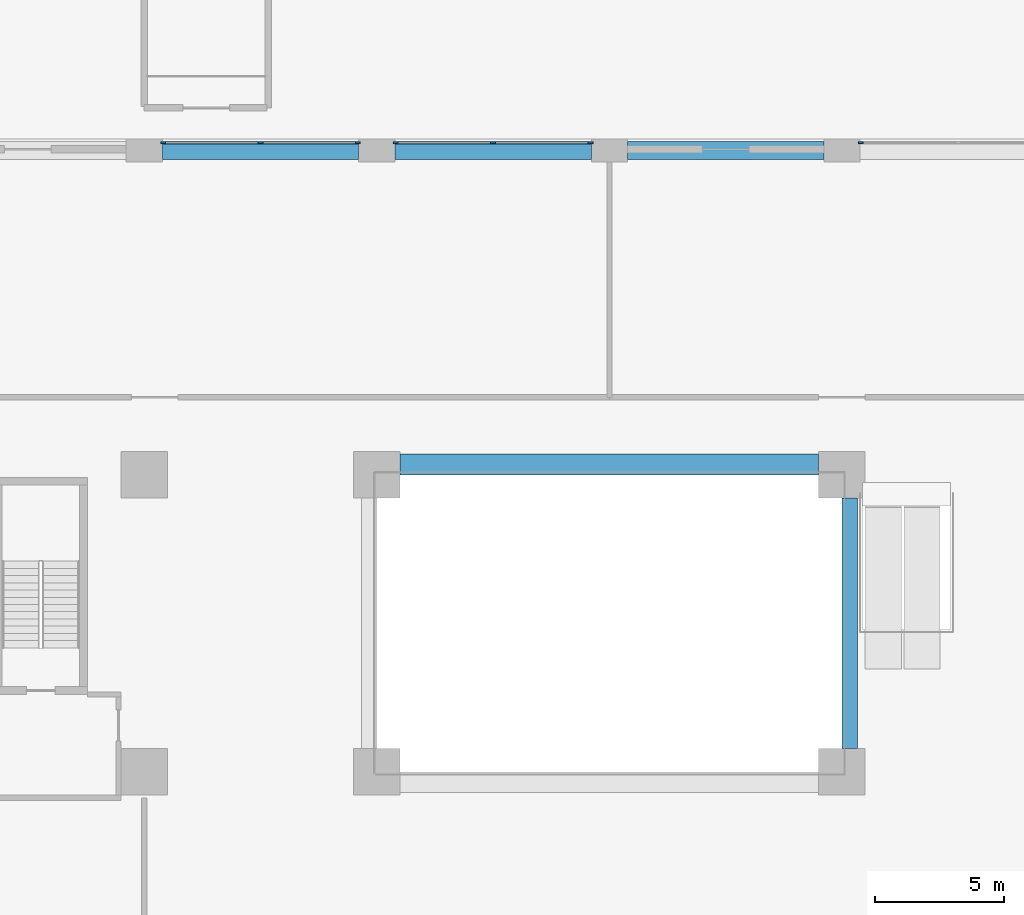
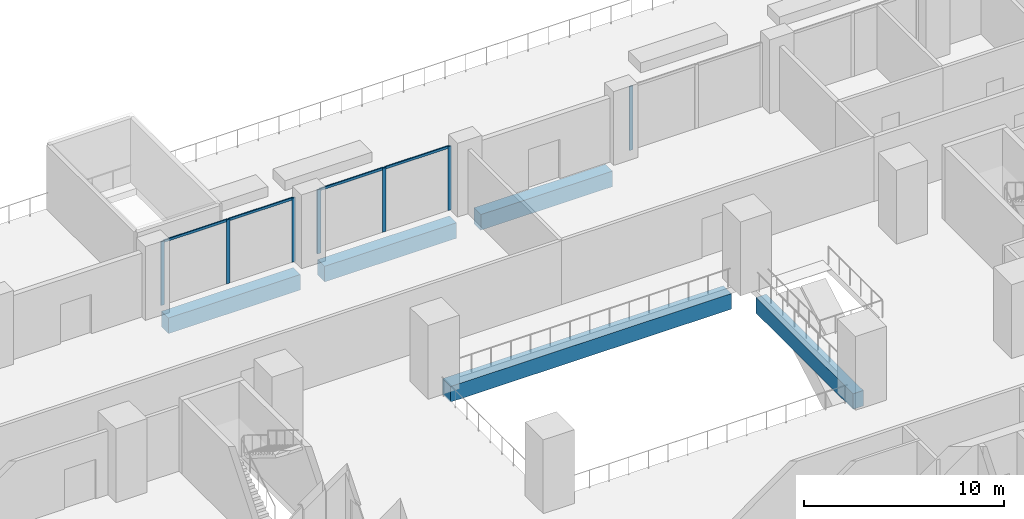
# One storey, part 5 of 19: 11 members, 5 beams, 3 elements without a shape of their own.
"""IFC4 building model written with IfcOpenShell, lengths in metres."""

from ifc_helpers import new_model, si_unit, direction, frame, origin, origin_2d, place, context, subcontext, project, spatial, rectangle, extrude, material, layer, layer_set, material_profile, profile_set, type_object, element, aggregate, save


model = new_model("IFC4")

# Units and contexts
model_context = context("Model", 3, precision=1e-05, world=origin(), true_north=direction((0.0, 1.0)))
body_context = subcontext(model_context, "Body", "Model", "MODEL_VIEW")
ifc_project = project(units=[si_unit("LENGTHUNIT", "METRE"), si_unit("AREAUNIT", "SQUARE_METRE"), si_unit("VOLUMEUNIT", "CUBIC_METRE"), si_unit("PLANEANGLEUNIT", "RADIAN"), si_unit("MASSUNIT", "GRAM", prefix="KILO")], contexts=[model_context])

# Site, building, storey
site_placement = place(None, origin())
site = spatial("IfcSite", under=ifc_project, at=site_placement, CompositionType="ELEMENT")
building_placement = place(site_placement, origin())
building = spatial("IfcBuilding", under=site, at=building_placement, Name="Brigalow Station Residences", CompositionType="ELEMENT")
storey_placement = place(building_placement, frame((0.0, 0.0, 11.0)))
storey = spatial("IfcBuildingStorey", under=building, at=storey_placement, Name="L02", CompositionType="ELEMENT", Elevation=11.0)

# Beams
ifc_material_1 = material(Name="Concrete C65", Category="concrete")
ifc_material_profile_1 = material_profile(ifc_material_1, rectangle(XDim=0.60009765625, YDim=0.949951171875, at=origin_2d()), Name="RC600x950")
ifc_profile_set_1 = profile_set([ifc_material_profile_1], Name="Concrete C65")
beam_type_1 = type_object("IfcBeamType", Name="ATRIUM EDGE GIRDER 600x950 C65", PredefinedType="BEAM", material=ifc_profile_set_1)
beam_1_placement = place(storey_placement, frame((45.300048828125, 24.89990234375, -0.876953125), z_axis=(0.0, 1.0, 0.0), x_axis=(-1.0, 0.0, 0.0)))
element("IfcBeam", 1, at=beam_1_placement, inside=storey, type_object=beam_type_1, Name="ATRIUM EDGE GIRDER 5 L02", PredefinedType="BEAM", context=body_context, shape_type="SweptSolid", body=[
    extrude(rectangle(XDim=0.60009765625, YDim=0.949951171875, at=origin_2d()), origin(), (0.0, 0.0, 1.0), 9.7001953125),
])
ifc_material_2 = material(Name="Concrete C65", Category="concrete")
ifc_material_profile_2 = material_profile(ifc_material_2, rectangle(XDim=0.800048828125, YDim=0.949951171875, at=origin_2d()), Name="RC800x950")
ifc_profile_set_2 = profile_set([ifc_material_profile_2], Name="Concrete C65")
beam_type_2 = type_object("IfcBeamType", Name="ATRIUM EDGE GIRDER OVER 13.5 M SPAN 800x950 C65", PredefinedType="BEAM", material=ifc_profile_set_2)
beam_2_placement = place(storey_placement, frame((27.89990234375, 35.89990234375, -0.876953125), z_axis=(1.0, 0.0, 0.0), x_axis=(0.0, 1.0, 0.0)))
element("IfcBeam", 2, at=beam_2_placement, inside=storey, type_object=beam_type_2, Name="ATRIUM EDGE GIRDER D L02", PredefinedType="BEAM", context=body_context, shape_type="SweptSolid", body=[
    extrude(rectangle(XDim=0.800048828125, YDim=0.949951171875, at=origin_2d()), origin(), (0.0, 0.0, 1.0), 16.2001953125),
])
ifc_material_3 = material(Name="Concrete C65", Category="concrete")
ifc_material_profile_3 = material_profile(ifc_material_3, rectangle(XDim=0.699951171875, YDim=0.949951171875, at=origin_2d()), Name="RC700x950")
ifc_profile_set_3 = profile_set([ifc_material_profile_3], Name="Concrete C65")
beam_type_3 = type_object("IfcBeamType", Name="EDGE GIRDER 4.5 TO 9.9 M SPAN 700x950 C65", PredefinedType="BEAM", material=ifc_profile_set_3)
for number, where, z_axis, x_axis, name in (
    (3, (44.300048828125, 48.050048828125, -0.876953125), (-1.0, 0.0, 0.0), (0.0, -1.0, 0.0), "FOOTPRINT EDGE GIRDER 15 L02"),
    (4, (35.300048828125, 48.050048828125, -0.876953125), (-1.0, 0.0, 0.0), (0.0, -1.0, 0.0), "FOOTPRINT EDGE GIRDER 16 L02"),
    (5, (26.300048828125, 48.050048828125, -0.876953125), (-1.0, 0.0, 0.0), (0.0, -1.0, 0.0), "FOOTPRINT EDGE GIRDER 17 L02"),
):
    element("IfcBeam", number, at=place(storey_placement, frame(where, z_axis=z_axis, x_axis=x_axis)), inside=storey, type_object=beam_type_3, Name=name, PredefinedType="BEAM", context=body_context, shape_type="SweptSolid", body=[
        extrude(rectangle(XDim=0.699951171875, YDim=0.949951171875, at=origin_2d()), origin(), (0.0, 0.0, 1.0), 7.60009765625),
    ])

# Curtain wall, member
ifc_material_4 = material(Name="Aluminium", Category="aluminium")
ifc_layer = layer(ifc_material_4, 0.199951171875)
ifc_layer_set = layer_set([ifc_layer], Name="PODIUM UNITISED GLAZING CURTAIN WALL")
curtain_wall_type = type_object("IfcCurtainWallType", Name="PODIUM UNITISED GLAZING CURTAIN WALL", PredefinedType="NOTDEFINED", material=ifc_layer_set)
curtain_wall_1_placement = place(storey_placement, origin())
curtain_wall_1 = element("IfcCurtainWall", 6, at=curtain_wall_1_placement, inside=storey, type_object=curtain_wall_type, Name="L02/cw/podium-W-L02-25-14", PredefinedType="NOTDEFINED")
ifc_material_5 = material(Name="Aluminium", Category="aluminium")
ifc_material_profile_4 = material_profile(ifc_material_5, rectangle(XDim=0.06494140625, YDim=0.199951171875, at=origin_2d()), Name="PODIUM UNITISED GLAZING MULLION 65x200")
ifc_profile_set_4 = profile_set([ifc_material_profile_4], Name="Aluminium")
member_type_1 = type_object("IfcMemberType", Name="PODIUM UNITISED GLAZING MULLION 65x200", PredefinedType="MULLION", material=ifc_profile_set_4)
member_1_placement = place(storey_placement, frame((45.732421875, 48.35009765625, 0.0), z_axis=(0.0, 0.0, 1.0), x_axis=(0.0, -1.0, 0.0)))
member_1 = element("IfcMember", 7, at=member_1_placement, type_object=member_type_1, Name="L02/cw/podium-W-L02-25-14/M02", PredefinedType="MULLION", context=body_context, shape_type="SweptSolid", body=[
    extrude(rectangle(XDim=0.06494140625, YDim=0.199951171875, at=origin_2d()), origin(), (0.0, 0.0, 1.0), 3.89990234375),
])
aggregate(curtain_wall_1, [member_1])

# Curtain wall, members
curtain_wall_2_placement = place(storey_placement, origin())
curtain_wall_2 = element("IfcCurtainWall", 8, at=curtain_wall_2_placement, inside=storey, type_object=curtain_wall_type, Name="L02/cw/podium-W-L02-25-15", PredefinedType="NOTDEFINED")
member_2_placement = place(storey_placement, frame((35.267578125, 48.35009765625, 0.0), z_axis=(0.0, 0.0, 1.0), x_axis=(0.0, -1.0, 0.0)))
member_2 = element("IfcMember", 9, at=member_2_placement, type_object=member_type_1, Name="L02/cw/podium-W-L02-25-15/M00", PredefinedType="MULLION", context=body_context, shape_type="SweptSolid", body=[
    extrude(rectangle(XDim=0.06494140625, YDim=0.199951171875, at=origin_2d()), origin(), (0.0, 0.0, 1.0), 3.89990234375),
])
member_3_placement = place(storey_placement, frame((31.5, 48.35009765625, 0.0), z_axis=(0.0, 0.0, 1.0), x_axis=(0.0, -1.0, 0.0)))
member_3 = element("IfcMember", 10, at=member_3_placement, type_object=member_type_1, Name="L02/cw/podium-W-L02-25-15/M01", PredefinedType="MULLION", context=body_context, shape_type="SweptSolid", body=[
    extrude(rectangle(XDim=0.06494140625, YDim=0.199951171875, at=origin_2d()), origin(), (0.0, 0.0, 1.0), 3.89990234375),
])
member_4_placement = place(storey_placement, frame((27.732421875, 48.35009765625, 0.0), z_axis=(0.0, 0.0, 1.0), x_axis=(0.0, -1.0, 0.0)))
member_4 = element("IfcMember", 11, at=member_4_placement, type_object=member_type_1, Name="L02/cw/podium-W-L02-25-15/M02", PredefinedType="MULLION", context=body_context, shape_type="SweptSolid", body=[
    extrude(rectangle(XDim=0.06494140625, YDim=0.199951171875, at=origin_2d()), origin(), (0.0, 0.0, 1.0), 3.89990234375),
])

curtain_wall_3_placement = place(storey_placement, origin())
curtain_wall_3 = element("IfcCurtainWall", 12, at=curtain_wall_3_placement, inside=storey, type_object=curtain_wall_type, Name="L02/cw/podium-W-L02-25-16", PredefinedType="NOTDEFINED")
member_5_placement = place(storey_placement, frame((26.267578125, 48.35009765625, 0.0), z_axis=(0.0, 0.0, 1.0), x_axis=(0.0, -1.0, 0.0)))
member_5 = element("IfcMember", 13, at=member_5_placement, type_object=member_type_1, Name="L02/cw/podium-W-L02-25-16/M00", PredefinedType="MULLION", context=body_context, shape_type="SweptSolid", body=[
    extrude(rectangle(XDim=0.06494140625, YDim=0.199951171875, at=origin_2d()), origin(), (0.0, 0.0, 1.0), 3.89990234375),
])
member_6_placement = place(storey_placement, frame((22.5, 48.35009765625, 0.0), z_axis=(0.0, 0.0, 1.0), x_axis=(0.0, -1.0, 0.0)))
member_6 = element("IfcMember", 14, at=member_6_placement, type_object=member_type_1, Name="L02/cw/podium-W-L02-25-16/M01", PredefinedType="MULLION", context=body_context, shape_type="SweptSolid", body=[
    extrude(rectangle(XDim=0.06494140625, YDim=0.199951171875, at=origin_2d()), origin(), (0.0, 0.0, 1.0), 3.89990234375),
])
member_7_placement = place(storey_placement, frame((18.732421875, 48.35009765625, 0.0), z_axis=(0.0, 0.0, 1.0), x_axis=(0.0, -1.0, 0.0)))
member_7 = element("IfcMember", 15, at=member_7_placement, type_object=member_type_1, Name="L02/cw/podium-W-L02-25-16/M02", PredefinedType="MULLION", context=body_context, shape_type="SweptSolid", body=[
    extrude(rectangle(XDim=0.06494140625, YDim=0.199951171875, at=origin_2d()), origin(), (0.0, 0.0, 1.0), 3.89990234375),
])

# Member
ifc_material_6 = material(Name="Aluminium", Category="aluminium")
ifc_material_profile_5 = material_profile(ifc_material_6, rectangle(XDim=0.06494140625, YDim=0.14990234375, at=origin_2d()), Name="PODIUM UNITISED GLAZING TRANSOM 65x150")
ifc_profile_set_5 = profile_set([ifc_material_profile_5], Name="Aluminium")
member_type_2 = type_object("IfcMemberType", Name="PODIUM UNITISED GLAZING TRANSOM 65x150", PredefinedType="USERDEFINED", material=ifc_profile_set_5)
member_8_placement = place(storey_placement, frame((35.235107421875, 48.35009765625, 3.867431640625), z_axis=(-1.0, 0.0, 0.0), x_axis=(0.0, -1.0, 0.0)))
member_8 = element("IfcMember", 16, at=member_8_placement, type_object=member_type_2, Name="L02/cw/podium-W-L02-25-15/T00-00", ObjectType="TRANSOM", PredefinedType="USERDEFINED", context=body_context, shape_type="SweptSolid", body=[
    extrude(rectangle(XDim=0.06494140625, YDim=0.14990234375, at=origin_2d()), origin(), (0.0, 0.0, 1.0), 3.70263671875),
])

member_9_placement = place(storey_placement, frame((31.467529296875, 48.35009765625, 3.867431640625), z_axis=(-1.0, 0.0, 0.0), x_axis=(0.0, -1.0, 0.0)))
member_9 = element("IfcMember", 17, at=member_9_placement, type_object=member_type_2, Name="L02/cw/podium-W-L02-25-15/T01-00", ObjectType="TRANSOM", PredefinedType="USERDEFINED", context=body_context, shape_type="SweptSolid", body=[
    extrude(rectangle(XDim=0.06494140625, YDim=0.14990234375, at=origin_2d()), origin(), (0.0, 0.0, 1.0), 3.70263671875),
])

aggregate(curtain_wall_2, [member_2, member_3, member_4, member_8, member_9])

member_10_placement = place(storey_placement, frame((26.235107421875, 48.35009765625, 3.867431640625), z_axis=(-1.0, 0.0, 0.0), x_axis=(0.0, -1.0, 0.0)))
member_10 = element("IfcMember", 18, at=member_10_placement, type_object=member_type_2, Name="L02/cw/podium-W-L02-25-16/T00-00", ObjectType="TRANSOM", PredefinedType="USERDEFINED", context=body_context, shape_type="SweptSolid", body=[
    extrude(rectangle(XDim=0.06494140625, YDim=0.14990234375, at=origin_2d()), origin(), (0.0, 0.0, 1.0), 3.70263671875),
])

member_11_placement = place(storey_placement, frame((22.467529296875, 48.35009765625, 3.867431640625), z_axis=(-1.0, 0.0, 0.0), x_axis=(0.0, -1.0, 0.0)))
member_11 = element("IfcMember", 19, at=member_11_placement, type_object=member_type_2, Name="L02/cw/podium-W-L02-25-16/T01-00", ObjectType="TRANSOM", PredefinedType="USERDEFINED", context=body_context, shape_type="SweptSolid", body=[
    extrude(rectangle(XDim=0.06494140625, YDim=0.14990234375, at=origin_2d()), origin(), (0.0, 0.0, 1.0), 3.70263671875),
])

aggregate(curtain_wall_3, [member_5, member_6, member_7, member_10, member_11])

save(model, "model.ifc")
